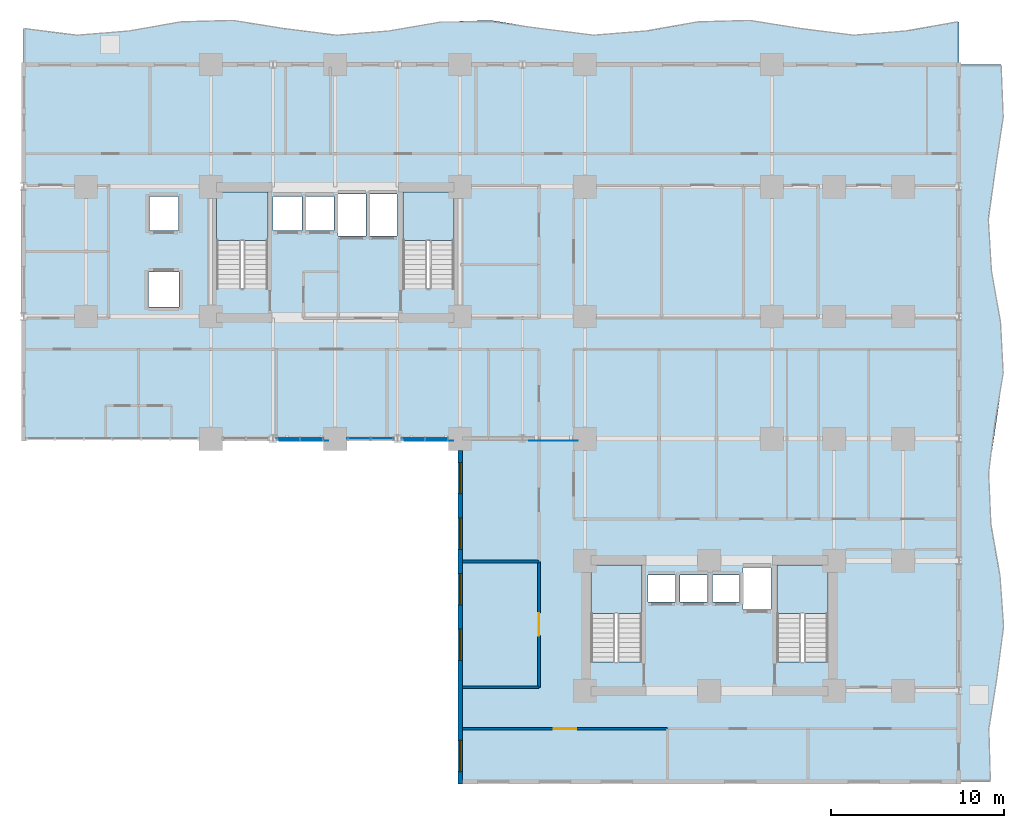
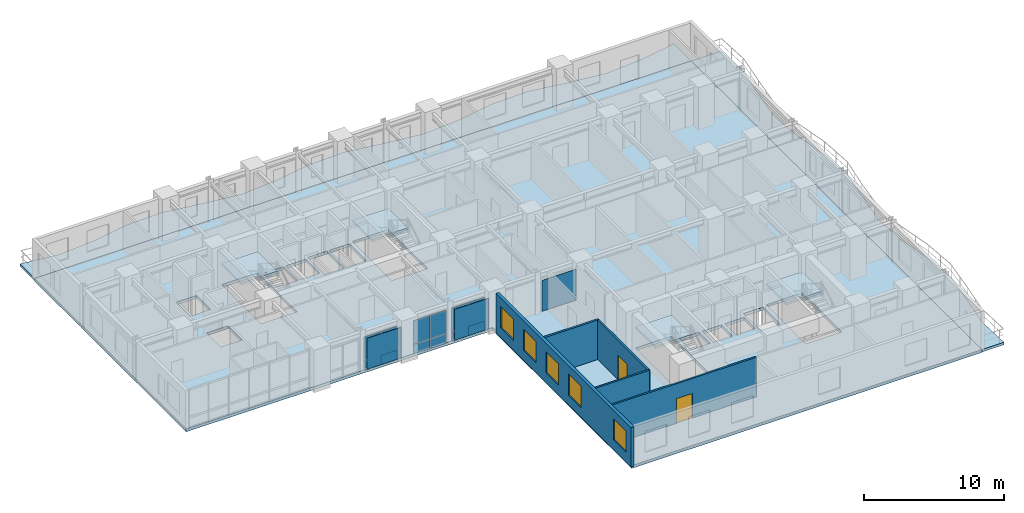
# One storey, part 7 of 16: 15 plates, 7 slabs, 5 walls, 5 windows, 2 doors, 7 openings, 7 elements without a shape of their own.
"""IFC4 building model written with IfcOpenShell, lengths in metres."""

from ifc_helpers import new_model, si_unit, direction, frame, frame_2d, origin, origin_2d, place, context, subcontext, project, spatial, polyline, rectangle, outline, extrude, source, transform, mapped, material, layer, layer_set, type_object, element, fill, aggregate, save


model = new_model("IFC4")

# Units and contexts
model_context = context("Model", 3, precision=1e-05, world=origin(), true_north=direction((0.0, 1.0)))
body_context = subcontext(model_context, "Body", "Model", "MODEL_VIEW")
ifc_project = project(units=[si_unit("LENGTHUNIT", "METRE"), si_unit("AREAUNIT", "SQUARE_METRE"), si_unit("VOLUMEUNIT", "CUBIC_METRE"), si_unit("PLANEANGLEUNIT", "RADIAN"), si_unit("MASSUNIT", "GRAM", prefix="KILO")], contexts=[model_context])

# Site, building, storey
site_placement = place(None, origin())
site = spatial("IfcSite", under=ifc_project, at=site_placement, CompositionType="ELEMENT")
building_placement = place(site_placement, origin())
building = spatial("IfcBuilding", under=site, at=building_placement, Name="Kaliganga Portal Commons", CompositionType="ELEMENT")
storey_placement = place(building_placement, frame((0.0, 0.0, 29.0)))
storey = spatial("IfcBuildingStorey", under=building, at=storey_placement, Name="L06", CompositionType="ELEMENT", Elevation=29.0)

# Slabs
ifc_material_1 = material(Name="Concrete C40/50", Category="concrete")
ifc_layer_1 = layer(ifc_material_1, 0.2099609375)
ifc_layer_set_1 = layer_set([ifc_layer_1], Name="Concrete C40/50")
slab_type_1 = type_object("IfcSlabType", Name="SLB-BALC-210", PredefinedType="FLOOR", material=ifc_layer_set_1)
slab_1_placement = place(storey_placement, frame((0.0, 0.0, -0.2099609375)))
element("IfcSlab", 1, at=slab_1_placement, inside=storey, type_object=slab_type_1, Name="Scalloped Tree-Planter Balcony Slab L06 balc_north", PredefinedType="FLOOR", context=body_context, shape_type="SweptSolid", body=[
    extrude(outline(polyline([(57.60009765625, 43.199951171875), (57.60009765625, 45.666259765625), (54.60009765625, 45.135986328125), (51.60009765625, 44.89208984375), (48.60009765625, 45.271728515625), (45.60009765625, 45.750244140625), (42.60009765625, 45.666259765625), (39.60009765625, 45.135986328125), (36.60009765625, 44.89208984375), (33.60009765625, 45.271728515625), (30.60009765625, 45.750244140625), (27.60009765625, 45.666259765625), (24.60009765625, 45.135986328125), (21.60009765625, 44.89208984375), (18.60009765625, 45.271728515625), (15.60009765625, 45.750244140625), (12.60009765625, 45.666259765625), (9.60009765625, 45.135986328125), (6.60009765625, 44.89208984375), (3.60009765625, 45.271728515625), (3.60009765625, 43.199951171875), (57.60009765625, 43.199951171875)])), origin(), (0.0, 0.0, 1.0), 0.2099609375),
])
slab_2_placement = place(storey_placement, frame((0.0, 0.0, -0.2099609375)))
element("IfcSlab", 2, at=slab_2_placement, inside=storey, type_object=slab_type_1, Name="Scalloped Tree-Planter Balcony Slab L06 balc_east", PredefinedType="FLOOR", context=body_context, shape_type="SweptSolid", body=[
    extrude(outline(polyline([(57.60009765625, 1.800048828125), (59.42041015625, 1.800048828125), (59.33251953125, 4.757080078125), (59.798583984375, 7.71435546875), (60.18994140625, 10.67138671875), (59.979248046875, 13.628662109375), (59.450439453125, 16.585693359375), (59.31640625, 19.54296875), (59.757568359375, 22.5), (60.179443359375, 25.45703125), (60.013427734375, 28.414306640625), (59.483154296875, 31.371337890625), (59.303466796875, 34.32861328125), (59.716552734375, 37.28564453125), (60.16552734375, 40.242919921875), (60.04541015625, 43.199951171875), (57.60009765625, 43.199951171875), (57.60009765625, 1.800048828125)])), origin(), (0.0, 0.0, 1.0), 0.2099609375),
])

# Stair, slab
stair_type = type_object("IfcStairType", Name="ST-CORE-DOGLEG", PredefinedType="HALF_TURN_STAIR", material=ifc_material_1)
stair_1_placement = place(storey_placement, origin())
stair_1 = element("IfcStair", 3, at=stair_1_placement, inside=storey, type_object=stair_type, Name="L06 Protected Exit Stair ST-A1", PredefinedType="HALF_TURN_STAIR")
ifc_layer_2 = layer(ifc_material_1, 0.199951171875)
ifc_layer_set_2 = layer_set([ifc_layer_2], Name="Concrete C40/50")
slab_type_2 = type_object("IfcSlabType", Name="SLB-STAIR-LND", PredefinedType="LANDING", material=ifc_layer_set_2)
slab_3_placement = place(storey_placement, frame((0.0, 0.0, 1.64990234375)))
slab_3 = element("IfcSlab", 4, at=slab_3_placement, type_object=slab_type_2, Name="ST-A1 landing 1", PredefinedType="LANDING", context=body_context, shape_type="SweptSolid", body=[
    extrude(outline(polyline([(17.699951171875, 33.050048828125), (17.699951171875, 35.85009765625), (14.75, 35.85009765625), (14.75, 33.050048828125), (17.699951171875, 33.050048828125)])), origin(), (0.0, 0.0, 1.0), 0.2001953125),
])
aggregate(stair_1, [slab_3])

stair_2_placement = place(storey_placement, origin())
stair_2 = element("IfcStair", 5, at=stair_2_placement, inside=storey, type_object=stair_type, Name="L06 Protected Exit Stair ST-A2", PredefinedType="HALF_TURN_STAIR")
slab_4_placement = place(storey_placement, frame((0.0, 0.0, 1.64990234375)))
slab_4 = element("IfcSlab", 6, at=slab_4_placement, type_object=slab_type_2, Name="ST-A2 landing 1", PredefinedType="LANDING", context=body_context, shape_type="SweptSolid", body=[
    extrude(outline(polyline([(28.449951171875, 33.050048828125), (28.449951171875, 35.85009765625), (25.5, 35.85009765625), (25.5, 33.050048828125), (28.449951171875, 33.050048828125)])), origin(), (0.0, 0.0, 1.0), 0.2001953125),
])
aggregate(stair_2, [slab_4])

stair_3_placement = place(storey_placement, origin())
stair_3 = element("IfcStair", 7, at=stair_3_placement, inside=storey, type_object=stair_type, Name="L06 Protected Exit Stair ST-B1", PredefinedType="HALF_TURN_STAIR")
slab_5_placement = place(storey_placement, frame((0.0, 0.0, 1.64990234375)))
slab_5 = element("IfcSlab", 8, at=slab_5_placement, type_object=slab_type_2, Name="ST-B1 landing 1", PredefinedType="LANDING", context=body_context, shape_type="SweptSolid", body=[
    extrude(outline(polyline([(39.300048828125, 11.5), (39.300048828125, 14.300048828125), (36.35009765625, 14.300048828125), (36.35009765625, 11.5), (39.300048828125, 11.5)])), origin(), (0.0, 0.0, 1.0), 0.2001953125),
])
aggregate(stair_3, [slab_5])

stair_4_placement = place(storey_placement, origin())
stair_4 = element("IfcStair", 9, at=stair_4_placement, inside=storey, type_object=stair_type, Name="L06 Protected Exit Stair ST-B2", PredefinedType="HALF_TURN_STAIR")
slab_6_placement = place(storey_placement, frame((0.0, 0.0, 1.64990234375)))
slab_6 = element("IfcSlab", 10, at=slab_6_placement, type_object=slab_type_2, Name="ST-B2 landing 1", PredefinedType="LANDING", context=body_context, shape_type="SweptSolid", body=[
    extrude(outline(polyline([(50.050048828125, 11.5), (50.050048828125, 14.300048828125), (47.10009765625, 14.300048828125), (47.10009765625, 11.5), (50.050048828125, 11.5)])), origin(), (0.0, 0.0, 1.0), 0.2001953125),
])
aggregate(stair_4, [slab_6])

# Slab
ifc_layer_3 = layer(ifc_material_1, 0.25)
ifc_layer_set_3 = layer_set([ifc_layer_3], Name="Concrete C40/50")
slab_type_3 = type_object("IfcSlabType", Name="SLB-TWR-250", PredefinedType="FLOOR", material=ifc_layer_set_3)
slab_7_placement = place(storey_placement, frame((0.0, 0.0, -0.25)))
element("IfcSlab", 11, at=slab_7_placement, inside=storey, type_object=slab_type_3, Name="Structural Floor Slab L06", PredefinedType="FLOOR", context=body_context, shape_type="SweptSolid", body=[
    extrude(outline(polyline([(28.800048828125, 1.800048828125), (57.60009765625, 1.800048828125), (57.60009765625, 43.199951171875), (3.60009765625, 43.199951171875), (3.60009765625, 21.60009765625), (28.800048828125, 21.60009765625), (28.800048828125, 1.800048828125)]), holes=[polyline([(14.75, 30.25390625), (14.75, 35.85009765625), (17.699951171875, 35.85009765625), (17.699951171875, 30.25390625), (14.75, 30.25390625)]), polyline([(25.5, 30.25390625), (25.5, 35.85009765625), (28.449951171875, 35.85009765625), (28.449951171875, 30.25390625), (25.5, 30.25390625)]), polyline([(36.35009765625, 8.7041015625), (36.35009765625, 14.300048828125), (39.300048828125, 14.300048828125), (39.300048828125, 8.7041015625), (36.35009765625, 8.7041015625)]), polyline([(47.10009765625, 8.7041015625), (47.10009765625, 14.300048828125), (50.050048828125, 14.300048828125), (50.050048828125, 8.7041015625), (47.10009765625, 8.7041015625)]), polyline([(18.014892578125, 33.614990234375), (18.014892578125, 35.5849609375), (19.68505859375, 35.5849609375), (19.68505859375, 33.614990234375), (18.014892578125, 33.614990234375)]), polyline([(19.864990234375, 33.614990234375), (19.864990234375, 35.5849609375), (21.534912109375, 35.5849609375), (21.534912109375, 33.614990234375), (19.864990234375, 33.614990234375)]), polyline([(10.81494140625, 29.18994140625), (10.81494140625, 31.2099609375), (12.5849609375, 31.2099609375), (12.5849609375, 29.18994140625), (10.81494140625, 29.18994140625)]), polyline([(10.864990234375, 33.614990234375), (10.864990234375, 35.5849609375), (12.534912109375, 35.5849609375), (12.534912109375, 33.614990234375), (10.864990234375, 33.614990234375)]), polyline([(21.739990234375, 33.2900390625), (21.739990234375, 35.7099609375), (23.360107421875, 35.7099609375), (23.360107421875, 33.2900390625), (21.739990234375, 33.2900390625)]), polyline([(23.5400390625, 33.2900390625), (23.5400390625, 35.7099609375), (25.159912109375, 35.7099609375), (25.159912109375, 33.2900390625), (23.5400390625, 33.2900390625)]), polyline([(39.6650390625, 12.1650390625), (39.6650390625, 13.735107421875), (41.235107421875, 13.735107421875), (41.235107421875, 12.1650390625), (39.6650390625, 12.1650390625)]), polyline([(41.514892578125, 12.1650390625), (41.514892578125, 13.735107421875), (43.0849609375, 13.735107421875), (43.0849609375, 12.1650390625), (41.514892578125, 12.1650390625)]), polyline([(43.364990234375, 12.1650390625), (43.364990234375, 13.735107421875), (44.93505859375, 13.735107421875), (44.93505859375, 12.1650390625), (43.364990234375, 12.1650390625)]), polyline([(45.139892578125, 11.739990234375), (45.139892578125, 14.159912109375), (46.760009765625, 14.159912109375), (46.760009765625, 11.739990234375), (45.139892578125, 11.739990234375)])]), origin(), (0.0, 0.0, 1.0), 0.25),
])

# Curtain wall, plates
ifc_material_2 = material(Name="Anodized Aluminium and Laminated Low-E Glass", Category="aluminium")
ifc_layer_4 = layer(ifc_material_2, 0.2099609375)
ifc_layer_set_4 = layer_set([ifc_layer_4], Name="Anodized Aluminium and Laminated Low-E Glass")
curtain_wall_type = type_object("IfcCurtainWallType", Name="CW-SYS-03", PredefinedType="NOTDEFINED", material=ifc_layer_set_4)
curtain_wall_1_placement = place(storey_placement, origin())
curtain_wall_1 = element("IfcCurtainWall", 12, at=curtain_wall_1_placement, inside=storey, type_object=curtain_wall_type, Name="CW 03 L06 P1E04S3", PredefinedType="NOTDEFINED")
ifc_material_3 = material(Name="Insulated Dark Spandrel Panel", Category="metal")
ifc_layer_5 = layer(ifc_material_3, 0.044921875)
ifc_layer_set_5 = layer_set([ifc_layer_5], Name="Insulated Dark Spandrel Panel")
plate_type_1 = type_object("IfcPlateType", Name="PLT-SPN-45", PredefinedType="SHEET", material=ifc_layer_set_5)
shared_shape_1 = source(origin(), body_context, "Body", "SweptSolid", [
    extrude(rectangle(XDim=1.3173828125, YDim=0.044921875, at=origin_2d()), origin(), (0.0, 0.0, 1.0), 0.805908203125),
])
plate_1_placement = place(storey_placement, frame((18.8876953125, 21.60009765625, 0.01025390625), z_axis=(0.0, 0.0, 1.0), x_axis=(1.0, 0.0, 0.0)))
plate_1 = element("IfcPlate", 13, at=plate_1_placement, type_object=plate_type_1, Name="CW:03:L06:P1E04S3 Spandrel 00", PredefinedType="SHEET", context=body_context, shape_type="MappedRepresentation", body=[
    mapped(shared_shape_1, transform((0.0, 0.0, 0.0), x_axis=(1.0, 0.0, 0.0), y_axis=(0.0, 1.0, 0.0), z_axis=(0.0, 0.0, 1.0), scale=1.0)),
])
plate_2_placement = place(storey_placement, frame((20.2451171875, 21.60009765625, 0.01025390625), z_axis=(0.0, 0.0, 1.0), x_axis=(1.0, 0.0, 0.0)))
plate_2 = element("IfcPlate", 14, at=plate_2_placement, type_object=plate_type_1, Name="CW:03:L06:P1E04S3 Spandrel 01", PredefinedType="SHEET", context=body_context, shape_type="MappedRepresentation", body=[
    mapped(shared_shape_1, transform((0.0, 0.0, 0.0), x_axis=(1.0, 0.0, 0.0), y_axis=(0.0, 1.0, 0.0), z_axis=(0.0, 0.0, 1.0), scale=1.0)),
])

curtain_wall_2_placement = place(storey_placement, origin())
curtain_wall_2 = element("IfcCurtainWall", 15, at=curtain_wall_2_placement, inside=storey, type_object=curtain_wall_type, Name="CW 03 L06 P1E04S4", PredefinedType="NOTDEFINED")
plate_3_placement = place(storey_placement, frame((22.954833984375, 21.60009765625, 0.01025390625), z_axis=(0.0, 0.0, 1.0), x_axis=(1.0, 0.0, 0.0)))
plate_3 = element("IfcPlate", 16, at=plate_3_placement, type_object=plate_type_1, Name="CW:03:L06:P1E04S4 Spandrel 00", PredefinedType="SHEET", context=body_context, shape_type="MappedRepresentation", body=[
    mapped(shared_shape_1, transform((0.0, 0.0, 0.0), x_axis=(1.0, 0.0, 0.0), y_axis=(0.0, 1.0, 0.0), z_axis=(0.0, 0.0, 1.0), scale=1.0)),
])
plate_4_placement = place(storey_placement, frame((24.312255859375, 21.60009765625, 0.01025390625), z_axis=(0.0, 0.0, 1.0), x_axis=(1.0, 0.0, 0.0)))
plate_4 = element("IfcPlate", 17, at=plate_4_placement, type_object=plate_type_1, Name="CW:03:L06:P1E04S4 Spandrel 01", PredefinedType="SHEET", context=body_context, shape_type="MappedRepresentation", body=[
    mapped(shared_shape_1, transform((0.0, 0.0, 0.0), x_axis=(1.0, 0.0, 0.0), y_axis=(0.0, 1.0, 0.0), z_axis=(0.0, 0.0, 1.0), scale=1.0)),
])

curtain_wall_3_placement = place(storey_placement, origin())
curtain_wall_3 = element("IfcCurtainWall", 18, at=curtain_wall_3_placement, inside=storey, type_object=curtain_wall_type, Name="CW 03 L06 P1E04S5", PredefinedType="NOTDEFINED")
plate_5_placement = place(storey_placement, frame((26.087646484375, 21.60009765625, 0.01025390625), z_axis=(0.0, 0.0, 1.0), x_axis=(1.0, 0.0, 0.0)))
plate_5 = element("IfcPlate", 19, at=plate_5_placement, type_object=plate_type_1, Name="CW:03:L06:P1E04S5 Spandrel 00", PredefinedType="SHEET", context=body_context, shape_type="MappedRepresentation", body=[
    mapped(shared_shape_1, transform((0.0, 0.0, 0.0), x_axis=(1.0, 0.0, 0.0), y_axis=(0.0, 1.0, 0.0), z_axis=(0.0, 0.0, 1.0), scale=1.0)),
])
plate_6_placement = place(storey_placement, frame((27.4453125, 21.60009765625, 0.01025390625), z_axis=(0.0, 0.0, 1.0), x_axis=(1.0, 0.0, 0.0)))
plate_6 = element("IfcPlate", 20, at=plate_6_placement, type_object=plate_type_1, Name="CW:03:L06:P1E04S5 Spandrel 01", PredefinedType="SHEET", context=body_context, shape_type="MappedRepresentation", body=[
    mapped(shared_shape_1, transform((0.0, 0.0, 0.0), x_axis=(1.0, 0.0, 0.0), y_axis=(0.0, 1.0, 0.0), z_axis=(0.0, 0.0, 1.0), scale=1.0)),
])

# Plate
ifc_material_4 = material(Name="Dark Solar-Control Laminated Low-E IGU", Category="glass")
ifc_layer_6 = layer(ifc_material_4, 0.028076171875)
ifc_layer_set_6 = layer_set([ifc_layer_6], Name="Dark Solar-Control Laminated Low-E IGU")
plate_type_2 = type_object("IfcPlateType", Name="PLT-GLZ-28", PredefinedType="CURTAIN_PANEL", material=ifc_layer_set_6)
shared_shape_2 = source(origin(), body_context, "Body", "SweptSolid", [
    extrude(rectangle(XDim=1.3173828125, YDim=0.028076171875, at=origin_2d()), origin(), (0.0, 0.0, 1.0), 2.02392578125),
])
plate_7_placement = place(storey_placement, frame((18.8876953125, 21.60009765625, 0.8359375), z_axis=(0.0, 0.0, 1.0), x_axis=(1.0, 0.0, 0.0)))
plate_7 = element("IfcPlate", 21, at=plate_7_placement, type_object=plate_type_2, Name="CW:03:L06:P1E04S3 Vision IGU 00", PredefinedType="CURTAIN_PANEL", context=body_context, shape_type="MappedRepresentation", body=[
    mapped(shared_shape_2, transform((0.0, 0.0, 0.0), x_axis=(1.0, 0.0, 0.0), y_axis=(0.0, 1.0, 0.0), z_axis=(0.0, 0.0, 1.0), scale=1.0)),
])

plate_8_placement = place(storey_placement, frame((20.2451171875, 21.60009765625, 0.8359375), z_axis=(0.0, 0.0, 1.0), x_axis=(1.0, 0.0, 0.0)))
plate_8 = element("IfcPlate", 22, at=plate_8_placement, type_object=plate_type_2, Name="CW:03:L06:P1E04S3 Vision IGU 01", PredefinedType="CURTAIN_PANEL", context=body_context, shape_type="MappedRepresentation", body=[
    mapped(shared_shape_2, transform((0.0, 0.0, 0.0), x_axis=(1.0, 0.0, 0.0), y_axis=(0.0, 1.0, 0.0), z_axis=(0.0, 0.0, 1.0), scale=1.0)),
])

aggregate(curtain_wall_1, [plate_1, plate_7, plate_2, plate_8])

plate_9_placement = place(storey_placement, frame((22.954833984375, 21.60009765625, 0.8359375), z_axis=(0.0, 0.0, 1.0), x_axis=(1.0, 0.0, 0.0)))
plate_9 = element("IfcPlate", 23, at=plate_9_placement, type_object=plate_type_2, Name="CW:03:L06:P1E04S4 Vision IGU 00", PredefinedType="CURTAIN_PANEL", context=body_context, shape_type="MappedRepresentation", body=[
    mapped(shared_shape_2, transform((0.0, 0.0, 0.0), x_axis=(1.0, 0.0, 0.0), y_axis=(0.0, 1.0, 0.0), z_axis=(0.0, 0.0, 1.0), scale=1.0)),
])

plate_10_placement = place(storey_placement, frame((24.312255859375, 21.60009765625, 0.8359375), z_axis=(0.0, 0.0, 1.0), x_axis=(1.0, 0.0, 0.0)))
plate_10 = element("IfcPlate", 24, at=plate_10_placement, type_object=plate_type_2, Name="CW:03:L06:P1E04S4 Vision IGU 01", PredefinedType="CURTAIN_PANEL", context=body_context, shape_type="MappedRepresentation", body=[
    mapped(shared_shape_2, transform((0.0, 0.0, 0.0), x_axis=(1.0, 0.0, 0.0), y_axis=(0.0, 1.0, 0.0), z_axis=(0.0, 0.0, 1.0), scale=1.0)),
])

aggregate(curtain_wall_2, [plate_3, plate_9, plate_4, plate_10])

plate_11_placement = place(storey_placement, frame((26.087646484375, 21.60009765625, 0.8359375), z_axis=(0.0, 0.0, 1.0), x_axis=(1.0, 0.0, 0.0)))
plate_11 = element("IfcPlate", 25, at=plate_11_placement, type_object=plate_type_2, Name="CW:03:L06:P1E04S5 Vision IGU 00", PredefinedType="CURTAIN_PANEL", context=body_context, shape_type="MappedRepresentation", body=[
    mapped(shared_shape_2, transform((0.0, 0.0, 0.0), x_axis=(1.0, 0.0, 0.0), y_axis=(0.0, 1.0, 0.0), z_axis=(0.0, 0.0, 1.0), scale=1.0)),
])

plate_12_placement = place(storey_placement, frame((27.4453125, 21.60009765625, 0.8359375), z_axis=(0.0, 0.0, 1.0), x_axis=(1.0, 0.0, 0.0)))
plate_12 = element("IfcPlate", 26, at=plate_12_placement, type_object=plate_type_2, Name="CW:03:L06:P1E04S5 Vision IGU 01", PredefinedType="CURTAIN_PANEL", context=body_context, shape_type="MappedRepresentation", body=[
    mapped(shared_shape_2, transform((0.0, 0.0, 0.0), x_axis=(1.0, 0.0, 0.0), y_axis=(0.0, 1.0, 0.0), z_axis=(0.0, 0.0, 1.0), scale=1.0)),
])

aggregate(curtain_wall_3, [plate_5, plate_11, plate_6, plate_12])

# Plates
ifc_material_5 = material(Name="Perforated Bronze-Anodized Aluminium Solar Screen", Category="aluminium")
ifc_layer_7 = layer(ifc_material_5, 0.01806640625)
ifc_layer_set_7 = layer_set([ifc_layer_7], Name="Perforated Bronze-Anodized Aluminium Solar Screen")
plate_type_3 = type_object("IfcPlateType", Name="PLT-SCR-18", PredefinedType="USERDEFINED", material=ifc_layer_set_7)
shared_shape_3 = source(origin(), body_context, "Body", "SweptSolid", [
    extrude(rectangle(XDim=2.800048828125, YDim=0.01806640625, at=origin_2d()), origin(), (0.0, 0.0, 1.0), 2.68994140625),
])
for number, where, z_axis, x_axis, name in (
    (27, (19.800048828125, 21.47998046875, 0.080078125), (0.0, 0.0, 1.0), (1.0, 0.0, 0.0), "Perforated Solar Screen L06-S1"),
    (28, (27.0, 21.47998046875, 0.080078125), (0.0, 0.0, 1.0), (1.0, 0.0, 0.0), "Perforated Solar Screen L06-S2"),
    (29, (34.199951171875, 21.47998046875, 0.080078125), (0.0, 0.0, 1.0), (1.0, 0.0, 0.0), "Perforated Solar Screen L06-S3"),
):
    element("IfcPlate", number, at=place(storey_placement, frame(where, z_axis=z_axis, x_axis=x_axis)), inside=storey, type_object=plate_type_3, Name=name, ObjectType="SOLAR SCREEN", PredefinedType="USERDEFINED", context=body_context, shape_type="MappedRepresentation", body=[
        mapped(shared_shape_3, transform((0.0, 0.0, 0.0), x_axis=(1.0, 0.0, 0.0), y_axis=(0.0, 1.0, 0.0), z_axis=(0.0, 0.0, 1.0), scale=1.0)),
    ])

# Wall, openings, windows
ifc_material_6 = material(Name="Insulated Aluminium-Clad Spandrel Assembly", Category="aluminium")
ifc_layer_8 = layer(ifc_material_6, 0.260009765625)
ifc_layer_set_8 = layer_set([ifc_layer_8], Name="Insulated Aluminium-Clad Spandrel Assembly")
wall_type_1 = type_object("IfcWallType", Name="WL-EXT-SPAND-260", PredefinedType="STANDARD", material=ifc_layer_set_8)
wall_1_placement = place(storey_placement, frame((28.800048828125, 1.669921875, 0.0), z_axis=(0.0, 0.0, 1.0), x_axis=(0.0, 1.0, 0.0)))
wall_1 = element("IfcWall", 30, at=wall_1_placement, inside=storey, type_object=wall_type_1, Name="Exterior Envelope Wall L06 P1-E05-S1", PredefinedType="STANDARD", context=body_context, shape_type="SweptSolid", body=[
    extrude(rectangle(XDim=19.254150390625, YDim=0.260009765625, at=frame_2d((9.626953125, 0.0))), origin(), (0.0, 0.0, 1.0), 3.429931640625),
])
opening_1_placement = place(wall_1_placement, frame((0.70458984375, 0.0, 0.85009765625)))
opening_1 = element("IfcOpeningElement", 31, at=opening_1_placement, cuts=wall_1, Name="Opening W-01", PredefinedType="OPENING", context=body_context, shape_type="SweptSolid", body=[
    extrude(rectangle(XDim=1.800048828125, YDim=1.85009765625, at=frame_2d((0.89990234375, 0.925048828125))), frame((0.0, 0.14013671875, 0.0), z_axis=(0.0, -1.0, 0.0), x_axis=(1.0, 0.0, 0.0)), (0.0, 0.0, 1.0), 0.280029296875),
])
opening_2_placement = place(wall_1_placement, frame((7.12255859375, 0.0, 0.85009765625)))
opening_2 = element("IfcOpeningElement", 32, at=opening_2_placement, cuts=wall_1, Name="Opening W-01", PredefinedType="OPENING", context=body_context, shape_type="SweptSolid", body=[
    extrude(rectangle(XDim=1.800048828125, YDim=1.85009765625, at=frame_2d((0.89990234375, 0.925048828125))), frame((0.0, 0.14013671875, 0.0), z_axis=(0.0, -1.0, 0.0), x_axis=(1.0, 0.0, 0.0)), (0.0, 0.0, 1.0), 0.280029296875),
])
opening_3_placement = place(wall_1_placement, frame((10.33154296875, 0.0, 0.85009765625)))
opening_3 = element("IfcOpeningElement", 33, at=opening_3_placement, cuts=wall_1, Name="Opening W-01", PredefinedType="OPENING", context=body_context, shape_type="SweptSolid", body=[
    extrude(rectangle(XDim=1.800048828125, YDim=1.85009765625, at=frame_2d((0.89990234375, 0.925048828125))), frame((0.0, 0.14013671875, 0.0), z_axis=(0.0, -1.0, 0.0), x_axis=(1.0, 0.0, 0.0)), (0.0, 0.0, 1.0), 0.280029296875),
])
opening_4_placement = place(wall_1_placement, frame((13.54052734375, 0.0, 0.85009765625)))
opening_4 = element("IfcOpeningElement", 34, at=opening_4_placement, cuts=wall_1, Name="Opening W-01", PredefinedType="OPENING", context=body_context, shape_type="SweptSolid", body=[
    extrude(rectangle(XDim=1.800048828125, YDim=1.85009765625, at=frame_2d((0.89990234375, 0.925048828125))), frame((0.0, 0.14013671875, 0.0), z_axis=(0.0, -1.0, 0.0), x_axis=(1.0, 0.0, 0.0)), (0.0, 0.0, 1.0), 0.280029296875),
])
opening_5_placement = place(wall_1_placement, frame((16.74951171875, 0.0, 0.85009765625)))
opening_5 = element("IfcOpeningElement", 35, at=opening_5_placement, cuts=wall_1, Name="Opening W-01", PredefinedType="OPENING", context=body_context, shape_type="SweptSolid", body=[
    extrude(rectangle(XDim=1.800048828125, YDim=1.85009765625, at=frame_2d((0.89990234375, 0.925048828125))), frame((0.0, 0.14013671875, 0.0), z_axis=(0.0, -1.0, 0.0), x_axis=(1.0, 0.0, 0.0)), (0.0, 0.0, 1.0), 0.280029296875),
])
ifc_material_7 = material(Name="Thermally Broken Aluminium and Low-E Double Glazing", Category="aluminium")
window_type = type_object("IfcWindowType", Name="WIN-STD-1800", PartitioningType="DOUBLE_PANEL_VERTICAL", PredefinedType="WINDOW", material=ifc_material_7)
window_1_placement = place(opening_1_placement, origin())
window_1 = element("IfcWindow", 36, at=window_1_placement, inside=storey, type_object=window_type, Name="Facade Window L06-P1E05S1-00", OverallHeight=1.85009765625, OverallWidth=1.800048828125, PartitioningType="SINGLE_PANEL", PredefinedType="WINDOW", context=body_context, shape_type="SweptSolid", body=[
    extrude(rectangle(XDim=1.800048828125, YDim=1.85009765625, at=frame_2d((0.89990234375, 0.925048828125))), frame((0.0, 0.030029296875, 0.0), z_axis=(0.0, -1.0, 0.0), x_axis=(1.0, 0.0, 0.0)), (0.0, 0.0, 1.0), 0.06005859375),
])
fill(opening_1, window_1)
window_2_placement = place(opening_2_placement, origin())
window_2 = element("IfcWindow", 37, at=window_2_placement, inside=storey, type_object=window_type, Name="Facade Window L06-P1E05S1-02", OverallHeight=1.85009765625, OverallWidth=1.800048828125, PartitioningType="SINGLE_PANEL", PredefinedType="WINDOW", context=body_context, shape_type="SweptSolid", body=[
    extrude(rectangle(XDim=1.800048828125, YDim=1.85009765625, at=frame_2d((0.89990234375, 0.925048828125))), frame((0.0, 0.030029296875, 0.0), z_axis=(0.0, -1.0, 0.0), x_axis=(1.0, 0.0, 0.0)), (0.0, 0.0, 1.0), 0.06005859375),
])
fill(opening_2, window_2)
window_3_placement = place(opening_3_placement, origin())
window_3 = element("IfcWindow", 38, at=window_3_placement, inside=storey, type_object=window_type, Name="Facade Window L06-P1E05S1-03", OverallHeight=1.85009765625, OverallWidth=1.800048828125, PartitioningType="SINGLE_PANEL", PredefinedType="WINDOW", context=body_context, shape_type="SweptSolid", body=[
    extrude(rectangle(XDim=1.800048828125, YDim=1.85009765625, at=frame_2d((0.89990234375, 0.925048828125))), frame((0.0, 0.030029296875, 0.0), z_axis=(0.0, -1.0, 0.0), x_axis=(1.0, 0.0, 0.0)), (0.0, 0.0, 1.0), 0.06005859375),
])
fill(opening_3, window_3)
window_4_placement = place(opening_4_placement, origin())
window_4 = element("IfcWindow", 39, at=window_4_placement, inside=storey, type_object=window_type, Name="Facade Window L06-P1E05S1-04", OverallHeight=1.85009765625, OverallWidth=1.800048828125, PartitioningType="SINGLE_PANEL", PredefinedType="WINDOW", context=body_context, shape_type="SweptSolid", body=[
    extrude(rectangle(XDim=1.800048828125, YDim=1.85009765625, at=frame_2d((0.89990234375, 0.925048828125))), frame((0.0, 0.030029296875, 0.0), z_axis=(0.0, -1.0, 0.0), x_axis=(1.0, 0.0, 0.0)), (0.0, 0.0, 1.0), 0.06005859375),
])
fill(opening_4, window_4)
window_5_placement = place(opening_5_placement, origin())
window_5 = element("IfcWindow", 40, at=window_5_placement, inside=storey, type_object=window_type, Name="Facade Window L06-P1E05S1-05", OverallHeight=1.85009765625, OverallWidth=1.800048828125, PartitioningType="SINGLE_PANEL", PredefinedType="WINDOW", context=body_context, shape_type="SweptSolid", body=[
    extrude(rectangle(XDim=1.800048828125, YDim=1.85009765625, at=frame_2d((0.89990234375, 0.925048828125))), frame((0.0, 0.030029296875, 0.0), z_axis=(0.0, -1.0, 0.0), x_axis=(1.0, 0.0, 0.0)), (0.0, 0.0, 1.0), 0.06005859375),
])
fill(opening_5, window_5)

# Wall, opening, door
ifc_material_8 = material(Name="Fire-Rated Gypsum Board on Steel Stud", Category="steel")
ifc_layer_9 = layer(ifc_material_8, 0.14990234375)
ifc_layer_set_9 = layer_set([ifc_layer_9], Name="Fire-Rated Gypsum Board on Steel Stud")
wall_type_2 = type_object("IfcWallType", Name="WL-PART-CORR-150", PredefinedType="PARTITIONING", material=ifc_layer_set_9)
wall_2_placement = place(storey_placement, frame((28.931884765625, 4.840087890625, 0.0), z_axis=(0.0, 0.0, 1.0), x_axis=(1.0, 0.0, 0.0)))
wall_2 = element("IfcWall", 41, at=wall_2_placement, inside=storey, type_object=wall_type_2, Name="Interior Partition L06-007", PredefinedType="PARTITIONING", context=body_context, shape_type="SweptSolid", body=[
    extrude(rectangle(XDim=11.84814453125, YDim=0.14990234375, at=frame_2d((5.924072265625, 0.0))), origin(), (0.0, 0.0, 1.0), 3.429931640625),
])
opening_6_placement = place(wall_2_placement, frame((5.27392578125, 0.0, 0.0)))
opening_6 = element("IfcOpeningElement", 42, at=opening_6_placement, cuts=wall_2, Name="Opening RD-03", PredefinedType="OPENING", context=body_context, shape_type="SweptSolid", body=[
    extrude(rectangle(XDim=1.300048828125, YDim=2.1201171875, at=frame_2d((0.64990234375, 1.06005859375))), frame((0.0, 0.0849609375, 0.0), z_axis=(0.0, -1.0, 0.0), x_axis=(1.0, 0.0, 0.0)), (0.0, 0.0, 1.0), 0.169921875),
])
ifc_material_9 = material(Name="Glazed Timber Seminar Vision Door", Category="wood")
door_type = type_object("IfcDoorType", Name="DR-STUDY-1300", OperationType="DOUBLE_DOOR_SINGLE_SWING", PredefinedType="DOOR", material=ifc_material_9)
door_1_placement = place(opening_6_placement, origin())
door_1 = element("IfcDoor", 43, at=door_1_placement, inside=storey, type_object=door_type, Name="Interior Door L06-BS01", OperationType="DOUBLE_DOOR_SINGLE_SWING", OverallHeight=2.1201171875, OverallWidth=1.300048828125, PredefinedType="DOOR", context=body_context, shape_type="SweptSolid", body=[
    extrude(rectangle(XDim=1.300048828125, YDim=2.1201171875, at=frame_2d((0.64990234375, 1.06005859375))), frame((0.0, 0.02490234375, 0.0), z_axis=(0.0, -1.0, 0.0), x_axis=(1.0, 0.0, 0.0)), (0.0, 0.0, 1.0), 0.050048828125),
])
fill(opening_6, door_1)

wall_3_placement = place(storey_placement, frame((33.360107421875, 7.239990234375, 0.0), z_axis=(0.0, 0.0, 1.0), x_axis=(0.0, 1.0, 0.0)))
wall_3 = element("IfcWall", 44, at=wall_3_placement, inside=storey, type_object=wall_type_2, Name="Interior Partition L06-020", PredefinedType="PARTITIONING", context=body_context, shape_type="SweptSolid", body=[
    extrude(rectangle(XDim=7.260009765625, YDim=0.14990234375, at=frame_2d((3.6298828125, 0.0))), origin(), (0.0, 0.0, 1.0), 3.429931640625),
])
opening_7_placement = place(wall_3_placement, frame((2.97998046875, 0.0, 0.0)))
opening_7 = element("IfcOpeningElement", 45, at=opening_7_placement, cuts=wall_3, Name="Opening RD-03", PredefinedType="OPENING", context=body_context, shape_type="SweptSolid", body=[
    extrude(rectangle(XDim=1.300048828125, YDim=2.1201171875, at=frame_2d((0.64990234375, 1.06005859375))), frame((0.0, 0.0849609375, 0.0), z_axis=(0.0, -1.0, 0.0), x_axis=(1.0, 0.0, 0.0)), (0.0, 0.0, 1.0), 0.169921875),
])
door_2_placement = place(opening_7_placement, origin())
door_2 = element("IfcDoor", 46, at=door_2_placement, inside=storey, type_object=door_type, Name="Interior Door L06-KW01", OperationType="DOUBLE_DOOR_SINGLE_SWING", OverallHeight=2.1201171875, OverallWidth=1.300048828125, PredefinedType="DOOR", context=body_context, shape_type="SweptSolid", body=[
    extrude(rectangle(XDim=1.300048828125, YDim=2.1201171875, at=frame_2d((0.64990234375, 1.06005859375))), frame((0.0, 0.02490234375, 0.0), z_axis=(0.0, -1.0, 0.0), x_axis=(1.0, 0.0, 0.0)), (0.0, 0.0, 1.0), 0.050048828125),
])
fill(opening_7, door_2)

# Walls
wall_4_placement = place(storey_placement, frame((28.931884765625, 7.239990234375, 0.0), z_axis=(0.0, 0.0, 1.0), x_axis=(1.0, 0.0, 0.0)))
element("IfcWall", 47, at=wall_4_placement, inside=storey, type_object=wall_type_2, Name="Interior Partition L06-039", PredefinedType="PARTITIONING", context=body_context, shape_type="SweptSolid", body=[
    extrude(rectangle(XDim=4.42822265625, YDim=0.14990234375, at=frame_2d((2.214111328125, 0.0))), origin(), (0.0, 0.0, 1.0), 3.429931640625),
])
ifc_material_10 = material(Name="Twin-Stud Acoustic Gypsum Partition", Category="gypsum")
ifc_layer_10 = layer(ifc_material_10, 0.1650390625)
ifc_layer_set_10 = layer_set([ifc_layer_10], Name="Twin-Stud Acoustic Gypsum Partition")
wall_type_3 = type_object("IfcWallType", Name="WL-PART-UNIT-165", PredefinedType="PARTITIONING", material=ifc_layer_set_10)
wall_5_placement = place(storey_placement, frame((28.931884765625, 14.5, 0.0), z_axis=(0.0, 0.0, 1.0), x_axis=(1.0, 0.0, 0.0)))
element("IfcWall", 48, at=wall_5_placement, inside=storey, type_object=wall_type_3, Name="Interior Partition L06-082", PredefinedType="PARTITIONING", context=body_context, shape_type="SweptSolid", body=[
    extrude(rectangle(XDim=4.42822265625, YDim=0.1650390625, at=frame_2d((2.214111328125, 0.0))), origin(), (0.0, 0.0, 1.0), 3.429931640625),
])

save(model, "model.ifc")
